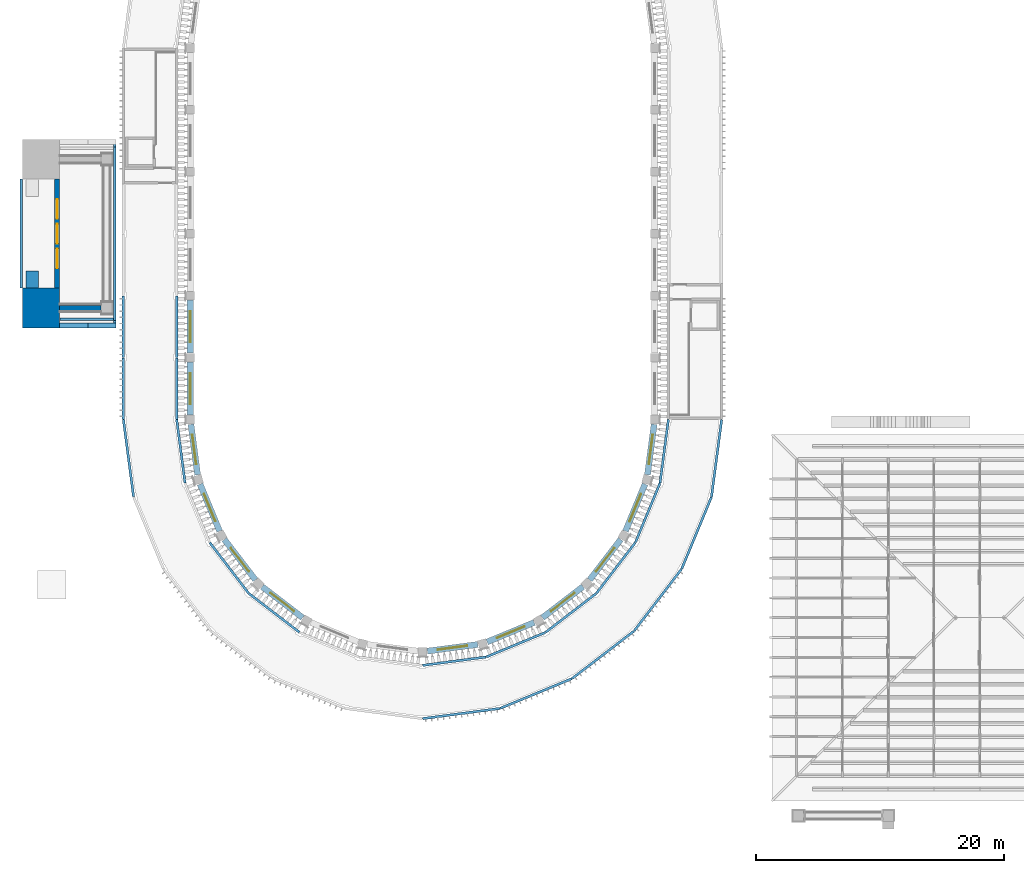
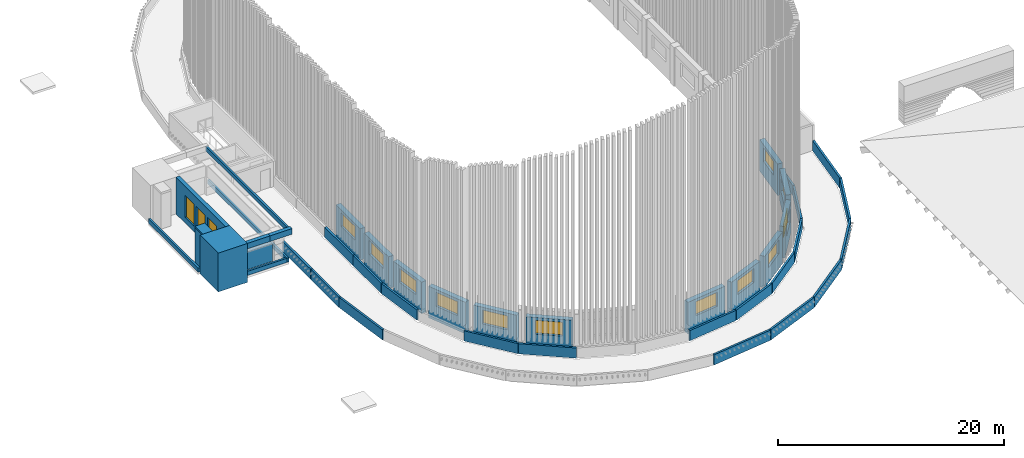
# One storey, part 21 of 68: 43 walls, 15 windows, 15 openings.
"""IFC4 building model written with IfcOpenShell, lengths in metres."""

from ifc_helpers import new_model, si_unit, direction, frame, frame_2d, origin, place, context, subcontext, project, spatial, rectangle, extrude, material, layer, layer_set, type_object, element, fill, save


model = new_model("IFC4")

# Units and contexts
model_context = context("Model", 3, precision=1e-05, world=origin(), true_north=direction((0.0, 1.0)))
body_context = subcontext(model_context, "Body", "Model", "MODEL_VIEW")
ifc_project = project(units=[si_unit("LENGTHUNIT", "METRE"), si_unit("AREAUNIT", "SQUARE_METRE"), si_unit("VOLUMEUNIT", "CUBIC_METRE"), si_unit("PLANEANGLEUNIT", "RADIAN"), si_unit("MASSUNIT", "GRAM", prefix="KILO")], contexts=[model_context])

# Site, building, storey
site_placement = place(None, origin())
site = spatial("IfcSite", under=ifc_project, at=site_placement, CompositionType="ELEMENT")
building_placement = place(site_placement, origin())
building = spatial("IfcBuilding", under=site, at=building_placement, Name="Wasatch Bagh Community Centre", CompositionType="ELEMENT")
storey_placement = place(building_placement, frame((0.0, 0.0, 8.39990234375)))
storey = spatial("IfcBuildingStorey", under=building, at=storey_placement, Name="L02", CompositionType="ELEMENT", Elevation=8.39990234375)

# Walls
ifc_material_1 = material(Name="Concrete C35", Category="concrete")
ifc_layer_1 = layer(ifc_material_1, 0.199951171875)
ifc_layer_set_1 = layer_set([ifc_layer_1], Name="Concrete C35")
wall_type_1 = type_object("IfcWallType", Name="CP-W1", PredefinedType="PARAPET", material=ifc_layer_set_1)
wall_1_placement = place(storey_placement, frame((3.60009765625, 45.60009765625, 0.25), z_axis=(0.0, 0.0, 1.0), x_axis=(0.0, 1.0, 0.0)))
element("IfcWall", 1, at=wall_1_placement, inside=storey, type_object=wall_type_1, Name="CP-W1 deck parapet 1", PredefinedType="PARAPET", context=body_context, shape_type="SweptSolid", body=[
    extrude(rectangle(XDim=8.7998046875, YDim=0.199951171875, at=frame_2d((4.39990234375, 0.0))), origin(), (0.0, 0.0, 1.0), 0.4501953125),
])
wall_2_placement = place(storey_placement, frame((11.14990234375, 43.0, 0.25), z_axis=(0.0, 0.0, 1.0), x_axis=(0.0, 1.0, 0.0)))
element("IfcWall", 2, at=wall_2_placement, inside=storey, type_object=wall_type_1, Name="CP-W1 deck parapet 2", PredefinedType="PARAPET", context=body_context, shape_type="SweptSolid", body=[
    extrude(rectangle(XDim=14.0, YDim=0.199951171875, at=frame_2d((7.0, 0.0))), origin(), (0.0, 0.0, 1.0), 0.4501953125),
])
wall_3_placement = place(storey_placement, frame((6.72998046875, 43.10009765625, 0.25), z_axis=(0.0, 0.0, 1.0), x_axis=(1.0, 0.0, 0.0)))
element("IfcWall", 3, at=wall_3_placement, inside=storey, type_object=wall_type_1, Name="CP-W1 deck parapet 3", PredefinedType="PARAPET", context=body_context, shape_type="SweptSolid", body=[
    extrude(rectangle(XDim=4.320068359375, YDim=0.199951171875, at=frame_2d((2.16015625, 0.0))), origin(), (0.0, 0.0, 1.0), 0.4501953125),
])
wall_4_placement = place(storey_placement, frame((11.14990234375, 42.60009765625, 3.60009765625), z_axis=(0.0, 0.0, 1.0), x_axis=(0.0, 1.0, 0.0)))
element("IfcWall", 4, at=wall_4_placement, inside=storey, type_object=wall_type_1, Name="CP-W1 porch roof parapet 3", PredefinedType="PARAPET", context=body_context, shape_type="SweptSolid", body=[
    extrude(rectangle(XDim=14.7998046875, YDim=0.199951171875, at=frame_2d((7.39990234375, 0.0))), origin(), (0.0, 0.0, 1.0), 0.449951171875),
])

# Wall, openings, windows
ifc_material_2 = material(Name="Concrete C40", Category="concrete")
ifc_layer_2 = layer(ifc_material_2, 0.39990234375)
ifc_layer_set_2 = layer_set([ifc_layer_2], Name="Concrete C40")
wall_type_2 = type_object("IfcWallType", Name="CP-W4", PredefinedType="STANDARD", material=ifc_layer_set_2)
wall_5_placement = place(storey_placement, frame((6.5, 45.60009765625, 0.25), z_axis=(0.0, 0.0, 1.0), x_axis=(0.0, 1.0, 0.0)))
wall_5 = element("IfcWall", 5, at=wall_5_placement, inside=storey, type_object=wall_type_2, Name="CP-W4 pishtaq back wall", PredefinedType="STANDARD", context=body_context, shape_type="SweptSolid", body=[
    extrude(rectangle(XDim=8.7998046875, YDim=0.39990234375, at=frame_2d((4.39990234375, 0.0))), origin(), (0.0, 0.0, 1.0), 3.9501953125),
])
opening_1_placement = place(wall_5_placement, frame((1.60009765625, 0.0, 0.60009765625)))
opening_1 = element("IfcOpeningElement", 6, at=opening_1_placement, cuts=wall_5, Name="Opening 2P-W01", PredefinedType="OPENING", context=body_context, shape_type="SweptSolid", body=[
    extrude(rectangle(XDim=1.60009765625, YDim=2.39990234375, at=frame_2d((0.800048828125, 1.199951171875))), frame((0.0, 0.2099609375, 0.0), z_axis=(0.0, -1.0, 0.0), x_axis=(1.0, 0.0, 0.0)), (0.0, 0.0, 1.0), 0.419921875),
])
opening_2_placement = place(wall_5_placement, frame((3.60009765625, 0.0, 0.60009765625)))
opening_2 = element("IfcOpeningElement", 7, at=opening_2_placement, cuts=wall_5, Name="Opening 2P-W02", PredefinedType="OPENING", context=body_context, shape_type="SweptSolid", body=[
    extrude(rectangle(XDim=1.60009765625, YDim=2.39990234375, at=frame_2d((0.800048828125, 1.199951171875))), frame((0.0, 0.2099609375, 0.0), z_axis=(0.0, -1.0, 0.0), x_axis=(1.0, 0.0, 0.0)), (0.0, 0.0, 1.0), 0.419921875),
])
opening_3_placement = place(wall_5_placement, frame((5.60009765625, 0.0, 0.60009765625)))
opening_3 = element("IfcOpeningElement", 8, at=opening_3_placement, cuts=wall_5, Name="Opening 2P-W03", PredefinedType="OPENING", context=body_context, shape_type="SweptSolid", body=[
    extrude(rectangle(XDim=1.60009765625, YDim=2.39990234375, at=frame_2d((0.800048828125, 1.199951171875))), frame((0.0, 0.2099609375, 0.0), z_axis=(0.0, -1.0, 0.0), x_axis=(1.0, 0.0, 0.0)), (0.0, 0.0, 1.0), 0.419921875),
])
ifc_material_3 = material(Name="Aluminium frame with double glazing", Category="aluminium")
window_type_1 = type_object("IfcWindowType", Name="CP window 1600x2400", PartitioningType="SINGLE_PANEL", PredefinedType="WINDOW", material=ifc_material_3)
window_1_placement = place(opening_1_placement, origin())
window_1 = element("IfcWindow", 9, at=window_1_placement, inside=storey, type_object=window_type_1, Name="CP.window.L02.2P-W01", OverallHeight=2.39990234375, OverallWidth=1.60009765625, PartitioningType="SINGLE_PANEL", PredefinedType="WINDOW", context=body_context, shape_type="SweptSolid", body=[
    extrude(rectangle(XDim=1.60009765625, YDim=2.39990234375, at=frame_2d((0.800048828125, 1.199951171875))), frame((0.0, 0.030029296875, 0.0), z_axis=(0.0, -1.0, 0.0), x_axis=(1.0, 0.0, 0.0)), (0.0, 0.0, 1.0), 0.06005859375),
])
fill(opening_1, window_1)
window_2_placement = place(opening_2_placement, origin())
window_2 = element("IfcWindow", 10, at=window_2_placement, inside=storey, type_object=window_type_1, Name="CP.window.L02.2P-W02", OverallHeight=2.39990234375, OverallWidth=1.60009765625, PartitioningType="SINGLE_PANEL", PredefinedType="WINDOW", context=body_context, shape_type="SweptSolid", body=[
    extrude(rectangle(XDim=1.60009765625, YDim=2.39990234375, at=frame_2d((0.800048828125, 1.199951171875))), frame((0.0, 0.030029296875, 0.0), z_axis=(0.0, -1.0, 0.0), x_axis=(1.0, 0.0, 0.0)), (0.0, 0.0, 1.0), 0.06005859375),
])
fill(opening_2, window_2)
window_3_placement = place(opening_3_placement, origin())
window_3 = element("IfcWindow", 11, at=window_3_placement, inside=storey, type_object=window_type_1, Name="CP.window.L02.2P-W03", OverallHeight=2.39990234375, OverallWidth=1.60009765625, PartitioningType="SINGLE_PANEL", PredefinedType="WINDOW", context=body_context, shape_type="SweptSolid", body=[
    extrude(rectangle(XDim=1.60009765625, YDim=2.39990234375, at=frame_2d((0.800048828125, 1.199951171875))), frame((0.0, 0.030029296875, 0.0), z_axis=(0.0, -1.0, 0.0), x_axis=(1.0, 0.0, 0.0)), (0.0, 0.0, 1.0), 0.06005859375),
])
fill(opening_3, window_3)

# Walls
wall_6_placement = place(storey_placement, frame((6.699951171875, 44.0, 0.25), z_axis=(0.0, 0.0, 1.0), x_axis=(1.0, 0.0, 0.0)))
element("IfcWall", 12, at=wall_6_placement, inside=storey, type_object=wall_type_2, Name="CP-W4 portal return wall 1", PredefinedType="STANDARD", context=body_context, shape_type="SweptSolid", body=[
    extrude(rectangle(XDim=3.35009765625, YDim=0.39990234375, at=frame_2d((1.675048828125, 0.0))), origin(), (0.0, 0.0, 1.0), 1.900146484375),
])
ifc_layer_3 = layer(ifc_material_2, 0.39990234375)
ifc_layer_set_3 = layer_set([ifc_layer_3], Name="Concrete C40")
wall_type_3 = type_object("IfcWallType", Name="CP-W5", PredefinedType="STANDARD", material=ifc_layer_set_3)
wall_7_placement = place(storey_placement, frame((6.699951171875, 42.60009765625, 3.60009765625), z_axis=(0.0, 0.0, 1.0), x_axis=(1.0, 0.0, 0.0)))
element("IfcWall", 13, at=wall_7_placement, inside=storey, type_object=wall_type_3, Name="CP-W5 iwan cheek wall 1.1", PredefinedType="STANDARD", context=body_context, shape_type="SweptSolid", body=[
    extrude(rectangle(XDim=2.300048828125, YDim=0.39990234375, at=frame_2d((1.14990234375, 0.0))), origin(), (0.0, 0.0, 1.0), 0.60009765625),
])
wall_8_placement = place(storey_placement, frame((9.0, 42.60009765625, 3.60009765625), z_axis=(0.0, 0.0, 1.0), x_axis=(1.0, 0.0, 0.0)))
element("IfcWall", 14, at=wall_8_placement, inside=storey, type_object=wall_type_3, Name="CP-W5 iwan cheek wall 1.2", PredefinedType="STANDARD", context=body_context, shape_type="SweptSolid", body=[
    extrude(rectangle(XDim=2.25, YDim=0.39990234375, at=frame_2d((1.125, 0.0))), origin(), (0.0, 0.0, 1.0), 0.60009765625),
])
ifc_layer_4 = layer(ifc_material_2, 3.0)
ifc_layer_set_4 = layer_set([ifc_layer_4], Name="Concrete C40")
wall_type_4 = type_object("IfcWallType", Name="CP-W7", PredefinedType="STANDARD", material=ifc_layer_set_4)
wall_9_placement = place(storey_placement, frame((5.199951171875, 42.39990234375, 0.0), z_axis=(0.0, 0.0, 1.0), x_axis=(0.0, 1.0, 0.0)))
element("IfcWall", 15, at=wall_9_placement, inside=storey, type_object=wall_type_4, Name="CP-W7 iwan masonry mass 1", PredefinedType="STANDARD", context=body_context, shape_type="SweptSolid", body=[
    extrude(rectangle(XDim=3.2001953125, YDim=3.0, at=frame_2d((1.60009765625, 0.0))), origin(), (0.0, 0.0, 1.0), 4.2001953125),
])
ifc_layer_5 = layer(ifc_material_2, 1.0)
ifc_layer_set_5 = layer_set([ifc_layer_5], Name="Concrete C40")
wall_type_5 = type_object("IfcWallType", Name="CP-W8", PredefinedType="STANDARD", material=ifc_layer_set_5)
wall_10_placement = place(storey_placement, frame((4.5, 45.60009765625, 0.25), z_axis=(0.0, 0.0, 1.0), x_axis=(0.0, 1.0, 0.0)))
element("IfcWall", 16, at=wall_10_placement, inside=storey, type_object=wall_type_5, Name="CP-W8 iwan arch screen pier panel", PredefinedType="STANDARD", context=body_context, shape_type="SweptSolid", body=[
    extrude(rectangle(XDim=1.39990234375, YDim=1.0, at=frame_2d((0.699951171875, 0.0))), origin(), (0.0, 0.0, 1.0), 3.75),
])
wall_11_placement = place(storey_placement, frame((4.5, 45.60009765625, 4.0), z_axis=(0.0, 0.0, 1.0), x_axis=(0.0, 1.0, 0.0)))
element("IfcWall", 17, at=wall_11_placement, inside=storey, type_object=wall_type_5, Name="CP-W8 iwan arch screen arch spandrel", PredefinedType="STANDARD", context=body_context, shape_type="SweptSolid", body=[
    extrude(rectangle(XDim=1.39990234375, YDim=1.0, at=frame_2d((0.699951171875, 0.0))), origin(), (0.0, 0.0, 1.0), 0.2001953125),
])
ifc_layer_6 = layer(ifc_material_2, 0.199951171875)
ifc_layer_set_6 = layer_set([ifc_layer_6], Name="Concrete C40")
wall_type_6 = type_object("IfcWallType", Name="Drum parapet RC WALL 200", PredefinedType="PARAPET", material=ifc_layer_set_6)
for number, where, z_axis, x_axis, name in (
    (18, (11.851806640625, 34.986083984375, 0.0), (0.0, 0.0, 1.0), (0.130543059552, -0.991442640601, 0.0), "Terrace parapet outer 1"),
    (19, (36.013916015625, 10.851806640625, 0.0), (0.0, 0.0, 1.0), (0.991442640601, 0.130543059552, 0.0), "Terrace parapet outer 7"),
    (20, (42.263427734375, 11.67822265625, 0.0), (0.0, 0.0, 1.0), (0.923879344373, 0.382683886571, 0.0), "Terrace parapet outer 8"),
    (21, (48.086181640625, 14.093994140625, 0.0), (0.0, 0.0, 1.0), (0.793346462763, 0.608770391873, 0.0), "Terrace parapet outer 9"),
    (22, (53.085205078125, 17.9345703125, 0.0), (0.0, 0.0, 1.0), (0.608770391873, 0.793346462763, 0.0), "Terrace parapet outer 10"),
    (23, (56.919921875, 22.93798828125, 0.0), (0.0, 0.0, 1.0), (0.382683886571, 0.923879344373, 0.0), "Terrace parapet outer 11"),
    (24, (59.328857421875, 28.763427734375, 0.0), (0.0, 0.0, 1.0), (0.130543059552, 0.991442640601, 0.0), "Terrace parapet outer 12"),
):
    element("IfcWall", number, at=place(storey_placement, frame(where, z_axis=z_axis, x_axis=x_axis)), inside=storey, type_object=wall_type_6, Name=name, PredefinedType="PARAPET", context=body_context, shape_type="SweptSolid", body=[
        extrude(rectangle(XDim=6.2763671875, YDim=0.199951171875, at=frame_2d((3.13818359375, 0.0))), origin(), (0.0, 0.0, 1.0), 1.10009765625),
    ])
for number, where, z_axis, x_axis, name in (
    (25, (11.85009765625, 44.986083984375, 0.0), (0.0, 0.0, 1.0), (0.0, -1.0, 0.0), "Terrace parapet outer 35"),
    (26, (11.85009765625, 39.986083984375, 0.0), (0.0, 0.0, 1.0), (0.0, -1.0, 0.0), "Terrace parapet outer 36"),
):
    element("IfcWall", number, at=place(storey_placement, frame(where, z_axis=z_axis, x_axis=x_axis)), inside=storey, type_object=wall_type_6, Name=name, PredefinedType="PARAPET", context=body_context, shape_type="SweptSolid", body=[
        extrude(rectangle(XDim=4.97216796875, YDim=0.199951171875, at=frame_2d((2.486083984375, 0.0))), origin(), (0.0, 0.0, 1.0), 1.10009765625),
    ])
wall_12_placement = place(storey_placement, frame((16.15185546875, 34.986083984375, 0.0), z_axis=(0.0, 0.0, 1.0), x_axis=(0.13050352667, -0.991447845086, 0.0)))
element("IfcWall", 27, at=wall_12_placement, inside=storey, type_object=wall_type_6, Name="Terrace parapet inner 1", PredefinedType="PARAPET", context=body_context, shape_type="SweptSolid", body=[
    extrude(rectangle(XDim=5.154052734375, YDim=0.199951171875, at=frame_2d((2.5771484375, 0.0))), origin(), (0.0, 0.0, 1.0), 1.10009765625),
])
for number, where, z_axis, x_axis, name in (
    (28, (18.81787109375, 25.06396484375, 0.0), (0.0, 0.0, 1.0), (0.608755692685, -0.793357741894, 0.0), "Terrace parapet inner 3"),
    (29, (21.97509765625, 20.955322265625, 0.0), (0.0, 0.0, 1.0), (0.793357741894, -0.608755692685, 0.0), "Terrace parapet inner 4"),
):
    element("IfcWall", number, at=place(storey_placement, frame(where, z_axis=z_axis, x_axis=x_axis)), inside=storey, type_object=wall_type_6, Name=name, PredefinedType="PARAPET", context=body_context, shape_type="SweptSolid", body=[
        extrude(rectangle(XDim=5.15380859375, YDim=0.199951171875, at=frame_2d((2.576904296875, 0.0))), origin(), (0.0, 0.0, 1.0), 1.10009765625),
    ])
for number, where, z_axis, x_axis, name in (
    (30, (36.013916015625, 15.15185546875, 0.0), (0.0, 0.0, 1.0), (0.991447845086, 0.13050352667, 0.0), "Terrace parapet inner 7"),
    (31, (41.150390625, 15.831787109375, 0.0), (0.0, 0.0, 1.0), (0.92389328708, 0.382650224212, 0.0), "Terrace parapet inner 8"),
):
    element("IfcWall", number, at=place(storey_placement, frame(where, z_axis=z_axis, x_axis=x_axis)), inside=storey, type_object=wall_type_6, Name=name, PredefinedType="PARAPET", context=body_context, shape_type="SweptSolid", body=[
        extrude(rectangle(XDim=5.154052734375, YDim=0.199951171875, at=frame_2d((2.5771484375, 0.0))), origin(), (0.0, 0.0, 1.0), 1.10009765625),
    ])
for number, where, z_axis, x_axis, name in (
    (32, (45.93603515625, 17.81787109375, 0.0), (0.0, 0.0, 1.0), (0.793357741894, 0.608755692685, 0.0), "Terrace parapet inner 9"),
    (33, (50.044677734375, 20.97509765625, 0.0), (0.0, 0.0, 1.0), (0.608755692685, 0.793357741894, 0.0), "Terrace parapet inner 10"),
):
    element("IfcWall", number, at=place(storey_placement, frame(where, z_axis=z_axis, x_axis=x_axis)), inside=storey, type_object=wall_type_6, Name=name, PredefinedType="PARAPET", context=body_context, shape_type="SweptSolid", body=[
        extrude(rectangle(XDim=5.15380859375, YDim=0.199951171875, at=frame_2d((2.576904296875, 0.0))), origin(), (0.0, 0.0, 1.0), 1.10009765625),
    ])
for number, where, z_axis, x_axis, name in (
    (34, (53.196044921875, 25.087890625, 0.0), (0.0, 0.0, 1.0), (0.382650224212, 0.92389328708, 0.0), "Terrace parapet inner 11"),
    (35, (55.175537109375, 29.876220703125, 0.0), (0.0, 0.0, 1.0), (0.13050352667, 0.991447845086, 0.0), "Terrace parapet inner 12"),
):
    element("IfcWall", number, at=place(storey_placement, frame(where, z_axis=z_axis, x_axis=x_axis)), inside=storey, type_object=wall_type_6, Name=name, PredefinedType="PARAPET", context=body_context, shape_type="SweptSolid", body=[
        extrude(rectangle(XDim=5.154052734375, YDim=0.199951171875, at=frame_2d((2.5771484375, 0.0))), origin(), (0.0, 0.0, 1.0), 1.10009765625),
    ])
for number, where, z_axis, x_axis, name in (
    (36, (16.14990234375, 44.986083984375, 0.0), (0.0, 0.0, 1.0), (0.0, -1.0, 0.0), "Terrace parapet inner 35"),
    (37, (16.14990234375, 39.986083984375, 0.0), (0.0, 0.0, 1.0), (0.0, -1.0, 0.0), "Terrace parapet inner 36"),
):
    element("IfcWall", number, at=place(storey_placement, frame(where, z_axis=z_axis, x_axis=x_axis)), inside=storey, type_object=wall_type_6, Name=name, PredefinedType="PARAPET", context=body_context, shape_type="SweptSolid", body=[
        extrude(rectangle(XDim=4.97216796875, YDim=0.199951171875, at=frame_2d((2.486083984375, 0.0))), origin(), (0.0, 0.0, 1.0), 1.10009765625),
    ])

# Wall, opening, window
ifc_layer_7 = layer(ifc_material_2, 0.5)
ifc_layer_set_7 = layer_set([ifc_layer_7], Name="Concrete C40")
wall_type_7 = type_object("IfcWallType", Name="MH wall RC WALL 500", PredefinedType="SHEAR", material=ifc_layer_set_7)
wall_13_placement = place(storey_placement, frame((17.300537109375, 34.616943359375, 0.0), z_axis=(0.0, 0.0, 1.0), x_axis=(0.130483623501, -0.991450464722, 0.0)))
wall_13 = element("IfcWall", 38, at=wall_13_placement, inside=storey, type_object=wall_type_7, Name="Capsule wall 1", PredefinedType="SHEAR", context=body_context, shape_type="SweptSolid", body=[
    extrude(rectangle(XDim=4.121826171875, YDim=0.5, at=frame_2d((2.06103515625, 0.0))), origin(), (0.0, 0.0, 1.0), 3.400146484375),
])
opening_4_placement = place(wall_13_placement, frame((0.86083984375, 0.0, 1.60009765625)))
opening_4 = element("IfcOpeningElement", 39, at=opening_4_placement, cuts=wall_13, Name="Opening 0M-W01", PredefinedType="OPENING", context=body_context, shape_type="SweptSolid", body=[
    extrude(rectangle(XDim=2.39990234375, YDim=1.5, at=frame_2d((1.199951171875, 0.75))), frame((0.0, 0.260009765625, 0.0), z_axis=(0.0, -1.0, 0.0), x_axis=(1.0, 0.0, 0.0)), (0.0, 0.0, 1.0), 0.52001953125),
])
ifc_material_4 = material(Name="Aluminium frame with low-iron insulated glass", Category="aluminium")
window_type_2 = type_object("IfcWindowType", Name="MH clerestory window W1", PartitioningType="SINGLE_PANEL", PredefinedType="WINDOW", material=ifc_material_4)
window_4_placement = place(opening_4_placement, origin())
window_4 = element("IfcWindow", 40, at=window_4_placement, inside=storey, type_object=window_type_2, Name="Window 0M-W01", OverallHeight=1.5, OverallWidth=2.39990234375, PartitioningType="SINGLE_PANEL", PredefinedType="WINDOW", context=body_context, shape_type="SweptSolid", body=[
    extrude(rectangle(XDim=2.39990234375, YDim=1.5, at=frame_2d((1.199951171875, 0.75))), frame((0.0, 0.030029296875, 0.0), z_axis=(0.0, -1.0, 0.0), x_axis=(1.0, 0.0, 0.0)), (0.0, 0.0, 1.0), 0.06005859375),
])
fill(opening_4, window_4)

wall_14_placement = place(storey_placement, frame((18.036865234375, 29.7900390625, 0.0), z_axis=(0.0, 0.0, 1.0), x_axis=(0.382688328955, -0.923877504262, 0.0)))
wall_14 = element("IfcWall", 41, at=wall_14_placement, inside=storey, type_object=wall_type_7, Name="Capsule wall 2", PredefinedType="SHEAR", context=body_context, shape_type="SweptSolid", body=[
    extrude(rectangle(XDim=4.121826171875, YDim=0.5, at=frame_2d((2.06103515625, 0.0))), origin(), (0.0, 0.0, 1.0), 3.400146484375),
])
opening_5_placement = place(wall_14_placement, frame((0.86083984375, 0.0, 1.60009765625)))
opening_5 = element("IfcOpeningElement", 42, at=opening_5_placement, cuts=wall_14, Name="Opening 0M-W02", PredefinedType="OPENING", context=body_context, shape_type="SweptSolid", body=[
    extrude(rectangle(XDim=2.39990234375, YDim=1.5, at=frame_2d((1.199951171875, 0.75))), frame((0.0, 0.260009765625, 0.0), z_axis=(0.0, -1.0, 0.0), x_axis=(1.0, 0.0, 0.0)), (0.0, 0.0, 1.0), 0.52001953125),
])
window_5_placement = place(opening_5_placement, origin())
window_5 = element("IfcWindow", 43, at=window_5_placement, inside=storey, type_object=window_type_2, Name="Window 0M-W02", OverallHeight=1.5, OverallWidth=2.39990234375, PartitioningType="SINGLE_PANEL", PredefinedType="WINDOW", context=body_context, shape_type="SweptSolid", body=[
    extrude(rectangle(XDim=2.39990234375, YDim=1.5, at=frame_2d((1.199951171875, 0.75))), frame((0.0, 0.030029296875, 0.0), z_axis=(0.0, -1.0, 0.0), x_axis=(1.0, 0.0, 0.0)), (0.0, 0.0, 1.0), 0.06005859375),
])
fill(opening_5, window_5)

wall_15_placement = place(storey_placement, frame((19.997314453125, 25.318359375, 0.0), z_axis=(0.0, 0.0, 1.0), x_axis=(0.60877717335, -0.793341258985, 0.0)))
wall_15 = element("IfcWall", 44, at=wall_15_placement, inside=storey, type_object=wall_type_7, Name="Capsule wall 3", PredefinedType="SHEAR", context=body_context, shape_type="SweptSolid", body=[
    extrude(rectangle(XDim=4.121826171875, YDim=0.5, at=frame_2d((2.06103515625, 0.0))), origin(), (0.0, 0.0, 1.0), 3.400146484375),
])
opening_6_placement = place(wall_15_placement, frame((0.86083984375, 0.0, 1.60009765625)))
opening_6 = element("IfcOpeningElement", 45, at=opening_6_placement, cuts=wall_15, Name="Opening 0M-W03", PredefinedType="OPENING", context=body_context, shape_type="SweptSolid", body=[
    extrude(rectangle(XDim=2.39990234375, YDim=1.5, at=frame_2d((1.199951171875, 0.75))), frame((0.0, 0.260009765625, 0.0), z_axis=(0.0, -1.0, 0.0), x_axis=(1.0, 0.0, 0.0)), (0.0, 0.0, 1.0), 0.52001953125),
])
window_6_placement = place(opening_6_placement, origin())
window_6 = element("IfcWindow", 46, at=window_6_placement, inside=storey, type_object=window_type_2, Name="Window 0M-W03", OverallHeight=1.5, OverallWidth=2.39990234375, PartitioningType="SINGLE_PANEL", PredefinedType="WINDOW", context=body_context, shape_type="SweptSolid", body=[
    extrude(rectangle(XDim=2.39990234375, YDim=1.5, at=frame_2d((1.199951171875, 0.75))), frame((0.0, 0.030029296875, 0.0), z_axis=(0.0, -1.0, 0.0), x_axis=(1.0, 0.0, 0.0)), (0.0, 0.0, 1.0), 0.06005859375),
])
fill(opening_6, window_6)

wall_16_placement = place(storey_placement, frame((23.04833984375, 21.506591796875, 0.0), z_axis=(0.0, 0.0, 1.0), x_axis=(0.793341258985, -0.60877717335, 0.0)))
wall_16 = element("IfcWall", 47, at=wall_16_placement, inside=storey, type_object=wall_type_7, Name="Capsule wall 4", PredefinedType="SHEAR", context=body_context, shape_type="SweptSolid", body=[
    extrude(rectangle(XDim=4.121826171875, YDim=0.5, at=frame_2d((2.06103515625, 0.0))), origin(), (0.0, 0.0, 1.0), 3.400146484375),
])
opening_7_placement = place(wall_16_placement, frame((0.86083984375, 0.0, 1.60009765625)))
opening_7 = element("IfcOpeningElement", 48, at=opening_7_placement, cuts=wall_16, Name="Opening 0M-W04", PredefinedType="OPENING", context=body_context, shape_type="SweptSolid", body=[
    extrude(rectangle(XDim=2.39990234375, YDim=1.5, at=frame_2d((1.199951171875, 0.75))), frame((0.0, 0.260009765625, 0.0), z_axis=(0.0, -1.0, 0.0), x_axis=(1.0, 0.0, 0.0)), (0.0, 0.0, 1.0), 0.52001953125),
])
window_7_placement = place(opening_7_placement, origin())
window_7 = element("IfcWindow", 49, at=window_7_placement, inside=storey, type_object=window_type_2, Name="Window 0M-W04", OverallHeight=1.5, OverallWidth=2.39990234375, PartitioningType="SINGLE_PANEL", PredefinedType="WINDOW", context=body_context, shape_type="SweptSolid", body=[
    extrude(rectangle(XDim=2.39990234375, YDim=1.5, at=frame_2d((1.199951171875, 0.75))), frame((0.0, 0.030029296875, 0.0), z_axis=(0.0, -1.0, 0.0), x_axis=(1.0, 0.0, 0.0)), (0.0, 0.0, 1.0), 0.06005859375),
])
fill(opening_7, window_7)

wall_17_placement = place(storey_placement, frame((36.383056640625, 16.300537109375, 0.0), z_axis=(0.0, 0.0, 1.0), x_axis=(0.991450464722, 0.130483623501, 0.0)))
wall_17 = element("IfcWall", 50, at=wall_17_placement, inside=storey, type_object=wall_type_7, Name="Capsule wall 7", PredefinedType="SHEAR", context=body_context, shape_type="SweptSolid", body=[
    extrude(rectangle(XDim=4.121826171875, YDim=0.5, at=frame_2d((2.06103515625, 0.0))), origin(), (0.0, 0.0, 1.0), 3.400146484375),
])
opening_8_placement = place(wall_17_placement, frame((0.86083984375, 0.0, 1.60009765625)))
opening_8 = element("IfcOpeningElement", 51, at=opening_8_placement, cuts=wall_17, Name="Opening 0M-W07", PredefinedType="OPENING", context=body_context, shape_type="SweptSolid", body=[
    extrude(rectangle(XDim=2.39990234375, YDim=1.5, at=frame_2d((1.199951171875, 0.75))), frame((0.0, 0.260009765625, 0.0), z_axis=(0.0, -1.0, 0.0), x_axis=(1.0, 0.0, 0.0)), (0.0, 0.0, 1.0), 0.52001953125),
])
window_8_placement = place(opening_8_placement, origin())
window_8 = element("IfcWindow", 52, at=window_8_placement, inside=storey, type_object=window_type_2, Name="Window 0M-W07", OverallHeight=1.5, OverallWidth=2.39990234375, PartitioningType="SINGLE_PANEL", PredefinedType="WINDOW", context=body_context, shape_type="SweptSolid", body=[
    extrude(rectangle(XDim=2.39990234375, YDim=1.5, at=frame_2d((1.199951171875, 0.75))), frame((0.0, 0.030029296875, 0.0), z_axis=(0.0, -1.0, 0.0), x_axis=(1.0, 0.0, 0.0)), (0.0, 0.0, 1.0), 0.06005859375),
])
fill(opening_8, window_8)

wall_18_placement = place(storey_placement, frame((41.2099609375, 17.036865234375, 0.0), z_axis=(0.0, 0.0, 1.0), x_axis=(0.923877504262, 0.382688328955, 0.0)))
wall_18 = element("IfcWall", 53, at=wall_18_placement, inside=storey, type_object=wall_type_7, Name="Capsule wall 8", PredefinedType="SHEAR", context=body_context, shape_type="SweptSolid", body=[
    extrude(rectangle(XDim=4.121826171875, YDim=0.5, at=frame_2d((2.06103515625, 0.0))), origin(), (0.0, 0.0, 1.0), 3.400146484375),
])
opening_9_placement = place(wall_18_placement, frame((0.86083984375, 0.0, 1.60009765625)))
opening_9 = element("IfcOpeningElement", 54, at=opening_9_placement, cuts=wall_18, Name="Opening 0M-W08", PredefinedType="OPENING", context=body_context, shape_type="SweptSolid", body=[
    extrude(rectangle(XDim=2.39990234375, YDim=1.5, at=frame_2d((1.199951171875, 0.75))), frame((0.0, 0.260009765625, 0.0), z_axis=(0.0, -1.0, 0.0), x_axis=(1.0, 0.0, 0.0)), (0.0, 0.0, 1.0), 0.52001953125),
])
window_9_placement = place(opening_9_placement, origin())
window_9 = element("IfcWindow", 55, at=window_9_placement, inside=storey, type_object=window_type_2, Name="Window 0M-W08", OverallHeight=1.5, OverallWidth=2.39990234375, PartitioningType="SINGLE_PANEL", PredefinedType="WINDOW", context=body_context, shape_type="SweptSolid", body=[
    extrude(rectangle(XDim=2.39990234375, YDim=1.5, at=frame_2d((1.199951171875, 0.75))), frame((0.0, 0.030029296875, 0.0), z_axis=(0.0, -1.0, 0.0), x_axis=(1.0, 0.0, 0.0)), (0.0, 0.0, 1.0), 0.06005859375),
])
fill(opening_9, window_9)

wall_19_placement = place(storey_placement, frame((45.681640625, 18.997314453125, 0.0), z_axis=(0.0, 0.0, 1.0), x_axis=(0.793341258985, 0.60877717335, 0.0)))
wall_19 = element("IfcWall", 56, at=wall_19_placement, inside=storey, type_object=wall_type_7, Name="Capsule wall 9", PredefinedType="SHEAR", context=body_context, shape_type="SweptSolid", body=[
    extrude(rectangle(XDim=4.121826171875, YDim=0.5, at=frame_2d((2.06103515625, 0.0))), origin(), (0.0, 0.0, 1.0), 3.400146484375),
])
opening_10_placement = place(wall_19_placement, frame((0.86083984375, 0.0, 1.60009765625)))
opening_10 = element("IfcOpeningElement", 57, at=opening_10_placement, cuts=wall_19, Name="Opening 0M-W09", PredefinedType="OPENING", context=body_context, shape_type="SweptSolid", body=[
    extrude(rectangle(XDim=2.39990234375, YDim=1.5, at=frame_2d((1.199951171875, 0.75))), frame((0.0, 0.260009765625, 0.0), z_axis=(0.0, -1.0, 0.0), x_axis=(1.0, 0.0, 0.0)), (0.0, 0.0, 1.0), 0.52001953125),
])
window_10_placement = place(opening_10_placement, origin())
window_10 = element("IfcWindow", 58, at=window_10_placement, inside=storey, type_object=window_type_2, Name="Window 0M-W09", OverallHeight=1.5, OverallWidth=2.39990234375, PartitioningType="SINGLE_PANEL", PredefinedType="WINDOW", context=body_context, shape_type="SweptSolid", body=[
    extrude(rectangle(XDim=2.39990234375, YDim=1.5, at=frame_2d((1.199951171875, 0.75))), frame((0.0, 0.030029296875, 0.0), z_axis=(0.0, -1.0, 0.0), x_axis=(1.0, 0.0, 0.0)), (0.0, 0.0, 1.0), 0.06005859375),
])
fill(opening_10, window_10)

wall_20_placement = place(storey_placement, frame((49.493408203125, 22.04833984375, 0.0), z_axis=(0.0, 0.0, 1.0), x_axis=(0.60877717335, 0.793341258985, 0.0)))
wall_20 = element("IfcWall", 59, at=wall_20_placement, inside=storey, type_object=wall_type_7, Name="Capsule wall 10", PredefinedType="SHEAR", context=body_context, shape_type="SweptSolid", body=[
    extrude(rectangle(XDim=4.121826171875, YDim=0.5, at=frame_2d((2.06103515625, 0.0))), origin(), (0.0, 0.0, 1.0), 3.400146484375),
])
opening_11_placement = place(wall_20_placement, frame((0.86083984375, 0.0, 1.60009765625)))
opening_11 = element("IfcOpeningElement", 60, at=opening_11_placement, cuts=wall_20, Name="Opening 0M-W10", PredefinedType="OPENING", context=body_context, shape_type="SweptSolid", body=[
    extrude(rectangle(XDim=2.39990234375, YDim=1.5, at=frame_2d((1.199951171875, 0.75))), frame((0.0, 0.260009765625, 0.0), z_axis=(0.0, -1.0, 0.0), x_axis=(1.0, 0.0, 0.0)), (0.0, 0.0, 1.0), 0.52001953125),
])
window_11_placement = place(opening_11_placement, origin())
window_11 = element("IfcWindow", 61, at=window_11_placement, inside=storey, type_object=window_type_2, Name="Window 0M-W10", OverallHeight=1.5, OverallWidth=2.39990234375, PartitioningType="SINGLE_PANEL", PredefinedType="WINDOW", context=body_context, shape_type="SweptSolid", body=[
    extrude(rectangle(XDim=2.39990234375, YDim=1.5, at=frame_2d((1.199951171875, 0.75))), frame((0.0, 0.030029296875, 0.0), z_axis=(0.0, -1.0, 0.0), x_axis=(1.0, 0.0, 0.0)), (0.0, 0.0, 1.0), 0.06005859375),
])
fill(opening_11, window_11)

wall_21_placement = place(storey_placement, frame((52.3857421875, 25.98193359375, 0.0), z_axis=(0.0, 0.0, 1.0), x_axis=(0.382688328955, 0.923877504262, 0.0)))
wall_21 = element("IfcWall", 62, at=wall_21_placement, inside=storey, type_object=wall_type_7, Name="Capsule wall 11", PredefinedType="SHEAR", context=body_context, shape_type="SweptSolid", body=[
    extrude(rectangle(XDim=4.121826171875, YDim=0.5, at=frame_2d((2.06103515625, 0.0))), origin(), (0.0, 0.0, 1.0), 3.400146484375),
])
opening_12_placement = place(wall_21_placement, frame((0.86083984375, 0.0, 1.60009765625)))
opening_12 = element("IfcOpeningElement", 63, at=opening_12_placement, cuts=wall_21, Name="Opening 0M-W11", PredefinedType="OPENING", context=body_context, shape_type="SweptSolid", body=[
    extrude(rectangle(XDim=2.39990234375, YDim=1.5, at=frame_2d((1.199951171875, 0.75))), frame((0.0, 0.260009765625, 0.0), z_axis=(0.0, -1.0, 0.0), x_axis=(1.0, 0.0, 0.0)), (0.0, 0.0, 1.0), 0.52001953125),
])
window_12_placement = place(opening_12_placement, origin())
window_12 = element("IfcWindow", 64, at=window_12_placement, inside=storey, type_object=window_type_2, Name="Window 0M-W11", OverallHeight=1.5, OverallWidth=2.39990234375, PartitioningType="SINGLE_PANEL", PredefinedType="WINDOW", context=body_context, shape_type="SweptSolid", body=[
    extrude(rectangle(XDim=2.39990234375, YDim=1.5, at=frame_2d((1.199951171875, 0.75))), frame((0.0, 0.030029296875, 0.0), z_axis=(0.0, -1.0, 0.0), x_axis=(1.0, 0.0, 0.0)), (0.0, 0.0, 1.0), 0.06005859375),
])
fill(opening_12, window_12)

wall_22_placement = place(storey_placement, frame((54.16162109375, 30.5302734375, 0.0), z_axis=(0.0, 0.0, 1.0), x_axis=(0.130483623501, 0.991450464722, 0.0)))
wall_22 = element("IfcWall", 65, at=wall_22_placement, inside=storey, type_object=wall_type_7, Name="Capsule wall 12", PredefinedType="SHEAR", context=body_context, shape_type="SweptSolid", body=[
    extrude(rectangle(XDim=4.121826171875, YDim=0.5, at=frame_2d((2.06103515625, 0.0))), origin(), (0.0, 0.0, 1.0), 3.400146484375),
])
opening_13_placement = place(wall_22_placement, frame((0.86083984375, 0.0, 1.60009765625)))
opening_13 = element("IfcOpeningElement", 66, at=opening_13_placement, cuts=wall_22, Name="Opening 0M-W12", PredefinedType="OPENING", context=body_context, shape_type="SweptSolid", body=[
    extrude(rectangle(XDim=2.39990234375, YDim=1.5, at=frame_2d((1.199951171875, 0.75))), frame((0.0, 0.260009765625, 0.0), z_axis=(0.0, -1.0, 0.0), x_axis=(1.0, 0.0, 0.0)), (0.0, 0.0, 1.0), 0.52001953125),
])
window_13_placement = place(opening_13_placement, origin())
window_13 = element("IfcWindow", 67, at=window_13_placement, inside=storey, type_object=window_type_2, Name="Window 0M-W12", OverallHeight=1.5, OverallWidth=2.39990234375, PartitioningType="SINGLE_PANEL", PredefinedType="WINDOW", context=body_context, shape_type="SweptSolid", body=[
    extrude(rectangle(XDim=2.39990234375, YDim=1.5, at=frame_2d((1.199951171875, 0.75))), frame((0.0, 0.030029296875, 0.0), z_axis=(0.0, -1.0, 0.0), x_axis=(1.0, 0.0, 0.0)), (0.0, 0.0, 1.0), 0.06005859375),
])
fill(opening_13, window_13)

wall_23_placement = place(storey_placement, frame((17.25, 44.6494140625, 0.0), z_axis=(0.0, 0.0, 1.0), x_axis=(0.0, -1.0, 0.0)))
wall_23 = element("IfcWall", 68, at=wall_23_placement, inside=storey, type_object=wall_type_7, Name="Capsule wall 35", PredefinedType="SHEAR", context=body_context, shape_type="SweptSolid", body=[
    extrude(rectangle(XDim=4.298828125, YDim=0.5, at=frame_2d((2.1494140625, 0.0))), origin(), (0.0, 0.0, 1.0), 3.400146484375),
])
opening_14_placement = place(wall_23_placement, frame((0.8994140625, 0.0, 1.60009765625)))
opening_14 = element("IfcOpeningElement", 69, at=opening_14_placement, cuts=wall_23, Name="Opening 0M-W35", PredefinedType="OPENING", context=body_context, shape_type="SweptSolid", body=[
    extrude(rectangle(XDim=2.5, YDim=1.5, at=frame_2d((1.25, 0.75))), frame((0.0, 0.260009765625, 0.0), z_axis=(0.0, -1.0, 0.0), x_axis=(1.0, 0.0, 0.0)), (0.0, 0.0, 1.0), 0.52001953125),
])
window_type_3 = type_object("IfcWindowType", Name="MH clerestory window W3", PartitioningType="SINGLE_PANEL", PredefinedType="WINDOW", material=ifc_material_4)
window_14_placement = place(opening_14_placement, origin())
window_14 = element("IfcWindow", 70, at=window_14_placement, inside=storey, type_object=window_type_3, Name="Window 0M-W35", OverallHeight=1.5, OverallWidth=2.5, PartitioningType="SINGLE_PANEL", PredefinedType="WINDOW", context=body_context, shape_type="SweptSolid", body=[
    extrude(rectangle(XDim=2.5, YDim=1.5, at=frame_2d((1.25, 0.75))), frame((0.0, 0.030029296875, 0.0), z_axis=(0.0, -1.0, 0.0), x_axis=(1.0, 0.0, 0.0)), (0.0, 0.0, 1.0), 0.06005859375),
])
fill(opening_14, window_14)

wall_24_placement = place(storey_placement, frame((17.25, 39.6494140625, 0.0), z_axis=(0.0, 0.0, 1.0), x_axis=(0.0, -1.0, 0.0)))
wall_24 = element("IfcWall", 71, at=wall_24_placement, inside=storey, type_object=wall_type_7, Name="Capsule wall 36", PredefinedType="SHEAR", context=body_context, shape_type="SweptSolid", body=[
    extrude(rectangle(XDim=4.298828125, YDim=0.5, at=frame_2d((2.1494140625, 0.0))), origin(), (0.0, 0.0, 1.0), 3.400146484375),
])
opening_15_placement = place(wall_24_placement, frame((0.8994140625, 0.0, 1.60009765625)))
opening_15 = element("IfcOpeningElement", 72, at=opening_15_placement, cuts=wall_24, Name="Opening 0M-W36", PredefinedType="OPENING", context=body_context, shape_type="SweptSolid", body=[
    extrude(rectangle(XDim=2.5, YDim=1.5, at=frame_2d((1.25, 0.75))), frame((0.0, 0.260009765625, 0.0), z_axis=(0.0, -1.0, 0.0), x_axis=(1.0, 0.0, 0.0)), (0.0, 0.0, 1.0), 0.52001953125),
])
window_15_placement = place(opening_15_placement, origin())
window_15 = element("IfcWindow", 73, at=window_15_placement, inside=storey, type_object=window_type_3, Name="Window 0M-W36", OverallHeight=1.5, OverallWidth=2.5, PartitioningType="SINGLE_PANEL", PredefinedType="WINDOW", context=body_context, shape_type="SweptSolid", body=[
    extrude(rectangle(XDim=2.5, YDim=1.5, at=frame_2d((1.25, 0.75))), frame((0.0, 0.030029296875, 0.0), z_axis=(0.0, -1.0, 0.0), x_axis=(1.0, 0.0, 0.0)), (0.0, 0.0, 1.0), 0.06005859375),
])
fill(opening_15, window_15)

save(model, "model.ifc")
